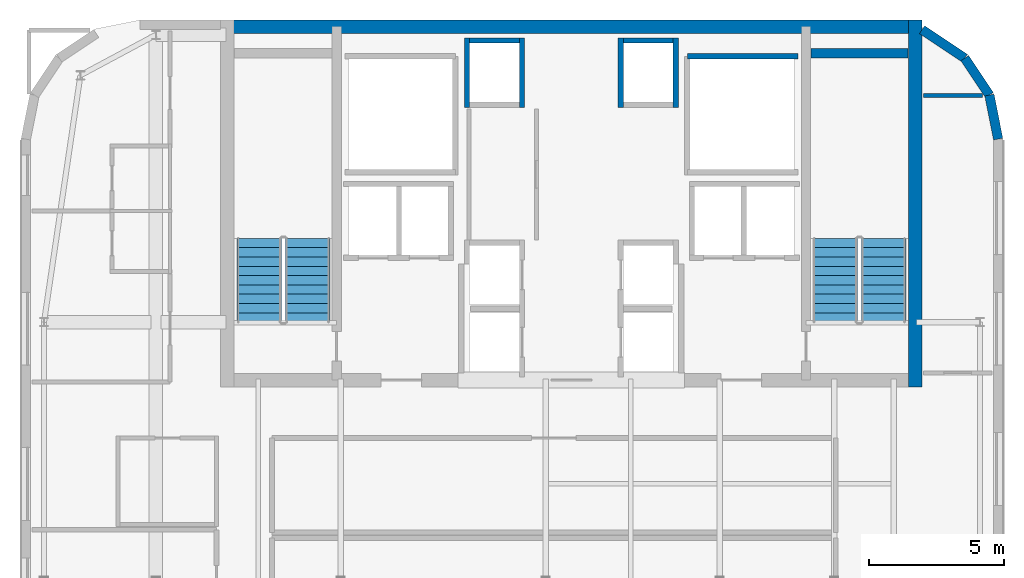
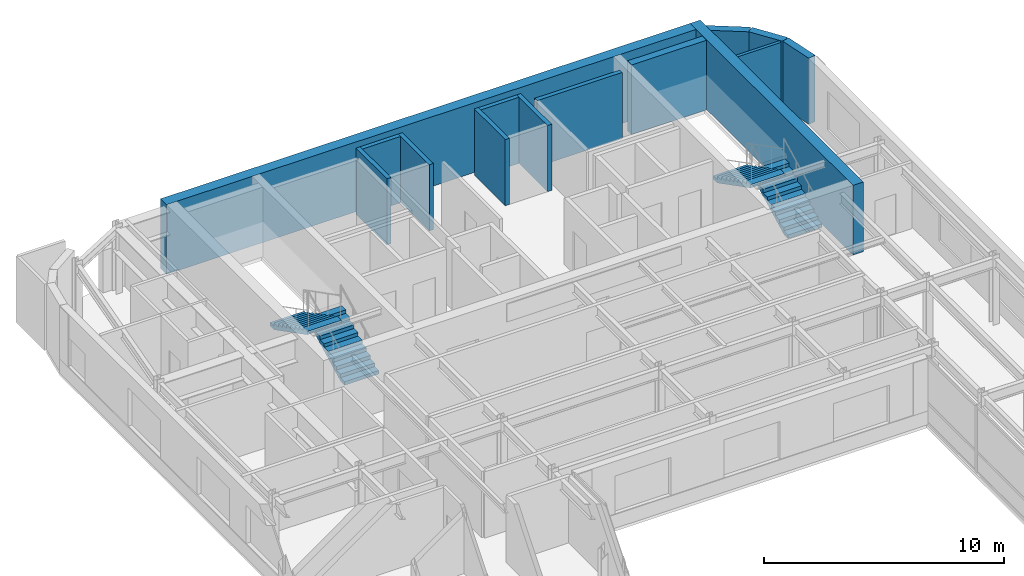
# One storey, part 17 of 21: 14 walls, 4 stair flights, 2 elements without a shape of their own.
"""IFC4 building model written with IfcOpenShell, lengths in metres."""

from ifc_helpers import new_model, si_unit, direction, frame, frame_2d, origin, place, context, subcontext, project, spatial, polyline, rectangle, outline, extrude, material, layer, layer_set, type_object, element, aggregate, save


model = new_model("IFC4")

# Units and contexts
model_context = context("Model", 3, precision=1e-05, world=origin(), true_north=direction((0.0, 1.0)))
body_context = subcontext(model_context, "Body", "Model", "MODEL_VIEW")
ifc_project = project(units=[si_unit("LENGTHUNIT", "METRE"), si_unit("AREAUNIT", "SQUARE_METRE"), si_unit("VOLUMEUNIT", "CUBIC_METRE"), si_unit("PLANEANGLEUNIT", "RADIAN"), si_unit("MASSUNIT", "GRAM", prefix="KILO")], contexts=[model_context])

# Site, building, storey
site_placement = place(None, origin())
site = spatial("IfcSite", under=ifc_project, at=site_placement, CompositionType="ELEMENT")
building_placement = place(site_placement, origin())
building = spatial("IfcBuilding", under=site, at=building_placement, Name="Tolvann Quenvar Hotel", CompositionType="ELEMENT")
storey_placement = place(building_placement, frame((0.0, 0.0, 262.949951171875)))
storey = spatial("IfcBuildingStorey", under=building, at=storey_placement, Name="L70", CompositionType="ELEMENT", Elevation=262.949951171875)

# Walls
ifc_material_1 = material(Name="Concrete N50 (50 MPa)", Category="concrete")
ifc_layer_1 = layer(ifc_material_1, 0.5)
ifc_layer_set_1 = layer_set([ifc_layer_1], Name="Concrete N50 (50 MPa)")
wall_type_1 = type_object("IfcWallType", Name="WALL_CORE_500", PredefinedType="SHEAR", material=ifc_layer_set_1)
wall_1_placement = place(storey_placement, frame((10.0, 44.949951171875, 0.0), z_axis=(0.0, 0.0, 1.0), x_axis=(1.0, 0.0, 0.0)))
element("IfcWall", 1, at=wall_1_placement, inside=storey, type_object=wall_type_1, Name="Rear Core N Shear Wall (L70)", PredefinedType="SHEAR", context=body_context, shape_type="SweptSolid", body=[
    extrude(rectangle(XDim=26.0, YDim=0.5, at=frame_2d((13.0, 0.0))), origin(), (0.0, 0.0, 1.0), 3.550048828125),
])
wall_2_placement = place(storey_placement, frame((35.75, 31.60009765625, 0.0), z_axis=(0.0, 0.0, 1.0), x_axis=(0.0, 1.0, 0.0)))
element("IfcWall", 2, at=wall_2_placement, inside=storey, type_object=wall_type_1, Name="Rear Core E Shear Wall (L70)", PredefinedType="SHEAR", context=body_context, shape_type="SweptSolid", body=[
    extrude(rectangle(XDim=13.599853515625, YDim=0.5, at=frame_2d((6.7998046875, 0.0))), origin(), (0.0, 0.0, 1.0), 3.550048828125),
])
ifc_material_2 = material(Name="Concrete S65 (65 MPa)", Category="concrete")
ifc_layer_2 = layer(ifc_material_2, 0.35009765625)
ifc_layer_set_2 = layer_set([ifc_layer_2], Name="Concrete S65 (65 MPa)")
wall_type_2 = type_object("IfcWallType", Name="WALL_CORE_INT_350", PredefinedType="SHEAR", material=ifc_layer_set_2)
wall_3_placement = place(storey_placement, frame((31.8798828125, 43.97509765625, 0.0), z_axis=(0.0, 0.0, 1.0), x_axis=(1.0, 0.0, 0.0)))
element("IfcWall", 3, at=wall_3_placement, inside=storey, type_object=wall_type_2, Name="Core Stair North Closing Shear Wall STC2-N (L70)", PredefinedType="SHEAR", context=body_context, shape_type="SweptSolid", body=[
    extrude(rectangle(XDim=3.60009765625, YDim=0.35009765625, at=frame_2d((1.800048828125, 0.0))), origin(), (0.0, 0.0, 1.0), 3.550048828125),
])
ifc_material_3 = material(Name="Kiln-fired red and buff architectural clay brickwork and terracotta masonry", Category="masonry")
ifc_layer_3 = layer(ifc_material_3, 0.35009765625)
ifc_layer_set_3 = layer_set([ifc_layer_3], Name="Kiln-fired red and buff architectural clay brickwork and terracotta masonry")
wall_type_3 = type_object("IfcWallType", Name="WALL_EXT_BRICK_350", PredefinedType="SOLIDWALL", material=ifc_layer_set_3)
wall_4_placement = place(storey_placement, frame((38.824951171875, 40.78271484375, 0.0), z_axis=(0.0, 0.0, 1.0), x_axis=(-0.195044345786, 0.980794424524, 0.0)))
element("IfcWall", 4, at=wall_4_placement, inside=storey, type_object=wall_type_3, Name="Exterior Chicago Brick Wall L70-E14", PredefinedType="SOLIDWALL", context=body_context, shape_type="SweptSolid", body=[
    extrude(rectangle(XDim=1.664794921875, YDim=0.35009765625, at=frame_2d((0.83251953125, 0.0))), origin(), (0.0, 0.0, 1.0), 3.3701171875),
])
wall_5_placement = place(storey_placement, frame((38.500244140625, 42.41552734375, 0.0), z_axis=(0.0, 0.0, 1.0), x_axis=(-0.555520825599, 0.831502623162, 0.0)))
element("IfcWall", 5, at=wall_5_placement, inside=storey, type_object=wall_type_3, Name="Exterior Chicago Brick Wall L70-E15", PredefinedType="SOLIDWALL", context=body_context, shape_type="SweptSolid", body=[
    extrude(rectangle(XDim=1.647216796875, YDim=0.35009765625, at=frame_2d((0.82373046875, 0.0))), origin(), (0.0, 0.0, 1.0), 3.3701171875),
])
wall_6_placement = place(storey_placement, frame((37.585205078125, 43.78515625, 0.0), z_axis=(0.0, 0.0, 1.0), x_axis=(-0.831516639465, 0.555499845448, 0.0)))
element("IfcWall", 6, at=wall_6_placement, inside=storey, type_object=wall_type_3, Name="Exterior Chicago Brick Wall L70-E16", PredefinedType="SOLIDWALL", context=body_context, shape_type="SweptSolid", body=[
    extrude(rectangle(XDim=1.901611328125, YDim=0.35009765625, at=frame_2d((0.95068359375, 0.0))), origin(), (0.0, 0.0, 1.0), 3.3701171875),
])
ifc_material_4 = material(Name="Acoustic twin-stud fire-rated gypsum plasterboard partition")
ifc_layer_4 = layer(ifc_material_4, 0.14990234375)
ifc_layer_set_4 = layer_set([ifc_layer_4], Name="Acoustic twin-stud fire-rated gypsum plasterboard partition")
wall_type_4 = type_object("IfcWallType", Name="WALL_PART_SUITE_150", PredefinedType="PARTITIONING", material=ifc_layer_set_4)
wall_7_placement = place(storey_placement, frame((36.054931640625, 42.39990234375, 0.0), z_axis=(0.0, 0.0, 1.0), x_axis=(1.0, 0.0, 0.0)))
element("IfcWall", 7, at=wall_7_placement, inside=storey, type_object=wall_type_4, Name="Interior Partition PT-SPC-L70-RECPL-P-N", PredefinedType="PARTITIONING", context=body_context, shape_type="SweptSolid", body=[
    extrude(rectangle(XDim=2.178955078125, YDim=0.14990234375, at=frame_2d((1.08935546875, 0.0))), origin(), (0.0, 0.0, 1.0), 3.3701171875),
])
ifc_material_5 = material(Name="Concrete N40 (40 MPa)", Category="concrete")
ifc_layer_5 = layer(ifc_material_5, 0.199951171875)
ifc_layer_set_5 = layer_set([ifc_layer_5], Name="Concrete N40 (40 MPa)")
wall_type_5 = type_object("IfcWallType", Name="WALL_SHAFT_200", PredefinedType="SOLIDWALL", material=ifc_layer_set_5)
wall_8_placement = place(storey_placement, frame((27.300048828125, 43.85009765625, 0.0), z_axis=(0.0, 0.0, 1.0), x_axis=(1.0, 0.0, 0.0)))
element("IfcWall", 8, at=wall_8_placement, inside=storey, type_object=wall_type_5, Name="Service Riser E Shaft Wall N (L70)", PredefinedType="SOLIDWALL", context=body_context, shape_type="SweptSolid", body=[
    extrude(rectangle(XDim=4.099853515625, YDim=0.199951171875, at=frame_2d((2.0498046875, 0.0))), origin(), (0.0, 0.0, 1.0), 3.3701171875),
])
for number, where, z_axis, x_axis, name in (
    (9, (21.169921875, 41.9599609375, 0.0), (0.0, 0.0, 1.0), (0.0, 1.0, 0.0), "Lift Bank E21.1C2 Hoistway Front Wall (L70)"),
    (10, (19.1298828125, 41.9599609375, 0.0), (0.0, 0.0, 1.0), (0.0, 1.0, 0.0), "Lift Bank E21.1C2 Hoistway Rear Wall (L70)"),
):
    element("IfcWall", number, at=place(storey_placement, frame(where, z_axis=z_axis, x_axis=x_axis)), inside=storey, type_object=wall_type_5, Name=name, PredefinedType="SOLIDWALL", context=body_context, shape_type="SweptSolid", body=[
        extrude(rectangle(XDim=2.580078125, YDim=0.199951171875, at=frame_2d((1.2900390625, 0.0))), origin(), (0.0, 0.0, 1.0), 3.3701171875),
    ])
wall_9_placement = place(storey_placement, frame((19.22998046875, 44.43994140625, 0.0), z_axis=(0.0, 0.0, 1.0), x_axis=(1.0, 0.0, 0.0)))
element("IfcWall", 11, at=wall_9_placement, inside=storey, type_object=wall_type_5, Name="Lift Bank E21.1C2 Hoistway Cheek Wall 2 (L70)", PredefinedType="SOLIDWALL", context=body_context, shape_type="SweptSolid", body=[
    extrude(rectangle(XDim=1.840087890625, YDim=0.199951171875, at=frame_2d((0.919921875, 0.0))), origin(), (0.0, 0.0, 1.0), 3.3701171875),
])
for number, where, z_axis, x_axis, name in (
    (12, (24.830078125, 41.9599609375, 0.0), (0.0, 0.0, 1.0), (0.0, 1.0, 0.0), "Lift Bank W24.9C2 Hoistway Front Wall (L70)"),
    (13, (26.8701171875, 41.9599609375, 0.0), (0.0, 0.0, 1.0), (0.0, 1.0, 0.0), "Lift Bank W24.9C2 Hoistway Rear Wall (L70)"),
):
    element("IfcWall", number, at=place(storey_placement, frame(where, z_axis=z_axis, x_axis=x_axis)), inside=storey, type_object=wall_type_5, Name=name, PredefinedType="SOLIDWALL", context=body_context, shape_type="SweptSolid", body=[
        extrude(rectangle(XDim=2.580078125, YDim=0.199951171875, at=frame_2d((1.2900390625, 0.0))), origin(), (0.0, 0.0, 1.0), 3.3701171875),
    ])
wall_10_placement = place(storey_placement, frame((24.929931640625, 44.43994140625, 0.0), z_axis=(0.0, 0.0, 1.0), x_axis=(1.0, 0.0, 0.0)))
element("IfcWall", 14, at=wall_10_placement, inside=storey, type_object=wall_type_5, Name="Lift Bank W24.9C2 Hoistway Cheek Wall 2 (L70)", PredefinedType="SOLIDWALL", context=body_context, shape_type="SweptSolid", body=[
    extrude(rectangle(XDim=1.840087890625, YDim=0.199951171875, at=frame_2d((0.919921875, 0.0))), origin(), (0.0, 0.0, 1.0), 3.3701171875),
])

# Stair, stair flights
stair_type = type_object("IfcStairType", Name="STAIR", PredefinedType="HALF_TURN_STAIR", material=ifc_material_5)
stair_1_placement = place(storey_placement, origin())
stair_1 = element("IfcStair", 15, at=stair_1_placement, inside=storey, type_object=stair_type, Name="L70 ST-C1", PredefinedType="HALF_TURN_STAIR")
stair_flight_type = type_object("IfcStairFlightType", Name="STAIR_FLIGHT", PredefinedType="STRAIGHT", material=ifc_material_5)
stair_flight_1_placement = place(storey_placement, frame((13.22509765625, 34.0, 0.0), z_axis=(0.0, 0.0, 1.0), x_axis=(0.0, 1.0, 0.0)))
stair_flight_1 = element("IfcStairFlight", 16, at=stair_flight_1_placement, type_object=stair_flight_type, Name="ST-C1 flight 1", NumberOfRisers=10, NumberOfTreads=9, PredefinedType="STRAIGHT", RiserHeight=0.1775, TreadLength=0.345, context=body_context, shape_type="SweptSolid", body=[
    extrude(outline(polyline([(0.0, 0.0), (0.0, 0.177490234375), (0.344970703125, 0.177490234375), (0.344970703125, 0.35498046875), (0.68994140625, 0.35498046875), (0.68994140625, 0.532470703125), (1.034912109375, 0.532470703125), (1.034912109375, 0.7099609375), (1.3798828125, 0.7099609375), (1.3798828125, 0.887451171875), (1.72509765625, 0.887451171875), (1.72509765625, 1.06494140625), (2.070068359375, 1.06494140625), (2.070068359375, 1.242431640625), (2.4150390625, 1.242431640625), (2.4150390625, 1.419921875), (2.760009765625, 1.419921875), (2.760009765625, 1.597412109375), (3.10498046875, 1.597412109375), (3.10498046875, 1.77490234375), (3.10498046875, 1.428955078125), (0.32763671875, 0.0), (0.0, 0.0)])), frame((0.0, 0.824951171875, 0.0), z_axis=(0.0, -1.0, 0.0), x_axis=(1.0, 0.0, 0.0)), (0.0, 0.0, 1.0), 1.64990234375),
])
stair_flight_2_placement = place(storey_placement, frame((11.425048828125, 37.10498046875, 1.775146484375), z_axis=(0.0, 0.0, 1.0), x_axis=(0.0, -1.0, 0.0)))
stair_flight_2 = element("IfcStairFlight", 17, at=stair_flight_2_placement, type_object=stair_flight_type, Name="ST-C1 flight 2", NumberOfRisers=10, NumberOfTreads=9, PredefinedType="STRAIGHT", RiserHeight=0.1775, TreadLength=0.345, context=body_context, shape_type="SweptSolid", body=[
    extrude(outline(polyline([(0.0, 0.0), (0.0, 0.177490234375), (0.344970703125, 0.177490234375), (0.344970703125, 0.35498046875), (0.68994140625, 0.35498046875), (0.68994140625, 0.532470703125), (1.034912109375, 0.532470703125), (1.034912109375, 0.7099609375), (1.3798828125, 0.7099609375), (1.3798828125, 0.887451171875), (1.72509765625, 0.887451171875), (1.72509765625, 1.06494140625), (2.070068359375, 1.06494140625), (2.070068359375, 1.242431640625), (2.4150390625, 1.242431640625), (2.4150390625, 1.419921875), (2.760009765625, 1.419921875), (2.760009765625, 1.597412109375), (3.10498046875, 1.597412109375), (3.10498046875, 1.77490234375), (3.10498046875, 1.428955078125), (0.32763671875, 0.0), (0.0, 0.0)])), frame((0.0, 0.824951171875, 0.0), z_axis=(0.0, -1.0, 0.0), x_axis=(1.0, 0.0, 0.0)), (0.0, 0.0, 1.0), 1.64990234375),
])
aggregate(stair_1, [stair_flight_1, stair_flight_2])

stair_2_placement = place(storey_placement, origin())
stair_2 = element("IfcStair", 18, at=stair_2_placement, inside=storey, type_object=stair_type, Name="L70 ST-C2", PredefinedType="HALF_TURN_STAIR")
stair_flight_3_placement = place(storey_placement, frame((34.574951171875, 34.0, 0.0), z_axis=(0.0, 0.0, 1.0), x_axis=(0.0, 1.0, 0.0)))
stair_flight_3 = element("IfcStairFlight", 19, at=stair_flight_3_placement, type_object=stair_flight_type, Name="ST-C2 flight 1", NumberOfRisers=10, NumberOfTreads=9, PredefinedType="STRAIGHT", RiserHeight=0.1775, TreadLength=0.345, context=body_context, shape_type="SweptSolid", body=[
    extrude(outline(polyline([(0.0, 0.0), (0.0, 0.177490234375), (0.344970703125, 0.177490234375), (0.344970703125, 0.35498046875), (0.68994140625, 0.35498046875), (0.68994140625, 0.532470703125), (1.034912109375, 0.532470703125), (1.034912109375, 0.7099609375), (1.3798828125, 0.7099609375), (1.3798828125, 0.887451171875), (1.72509765625, 0.887451171875), (1.72509765625, 1.06494140625), (2.070068359375, 1.06494140625), (2.070068359375, 1.242431640625), (2.4150390625, 1.242431640625), (2.4150390625, 1.419921875), (2.760009765625, 1.419921875), (2.760009765625, 1.597412109375), (3.10498046875, 1.597412109375), (3.10498046875, 1.77490234375), (3.10498046875, 1.428955078125), (0.32763671875, 0.0), (0.0, 0.0)])), frame((0.0, 0.824951171875, 0.0), z_axis=(0.0, -1.0, 0.0), x_axis=(1.0, 0.0, 0.0)), (0.0, 0.0, 1.0), 1.64990234375),
])
stair_flight_4_placement = place(storey_placement, frame((32.77490234375, 37.10498046875, 1.775146484375), z_axis=(0.0, 0.0, 1.0), x_axis=(0.0, -1.0, 0.0)))
stair_flight_4 = element("IfcStairFlight", 20, at=stair_flight_4_placement, type_object=stair_flight_type, Name="ST-C2 flight 2", NumberOfRisers=10, NumberOfTreads=9, PredefinedType="STRAIGHT", RiserHeight=0.1775, TreadLength=0.345, context=body_context, shape_type="SweptSolid", body=[
    extrude(outline(polyline([(0.0, 0.0), (0.0, 0.177490234375), (0.344970703125, 0.177490234375), (0.344970703125, 0.35498046875), (0.68994140625, 0.35498046875), (0.68994140625, 0.532470703125), (1.034912109375, 0.532470703125), (1.034912109375, 0.7099609375), (1.3798828125, 0.7099609375), (1.3798828125, 0.887451171875), (1.72509765625, 0.887451171875), (1.72509765625, 1.06494140625), (2.070068359375, 1.06494140625), (2.070068359375, 1.242431640625), (2.4150390625, 1.242431640625), (2.4150390625, 1.419921875), (2.760009765625, 1.419921875), (2.760009765625, 1.597412109375), (3.10498046875, 1.597412109375), (3.10498046875, 1.77490234375), (3.10498046875, 1.428955078125), (0.32763671875, 0.0), (0.0, 0.0)])), frame((0.0, 0.824951171875, 0.0), z_axis=(0.0, -1.0, 0.0), x_axis=(1.0, 0.0, 0.0)), (0.0, 0.0, 1.0), 1.64990234375),
])
aggregate(stair_2, [stair_flight_3, stair_flight_4])

save(model, "model.ifc")
